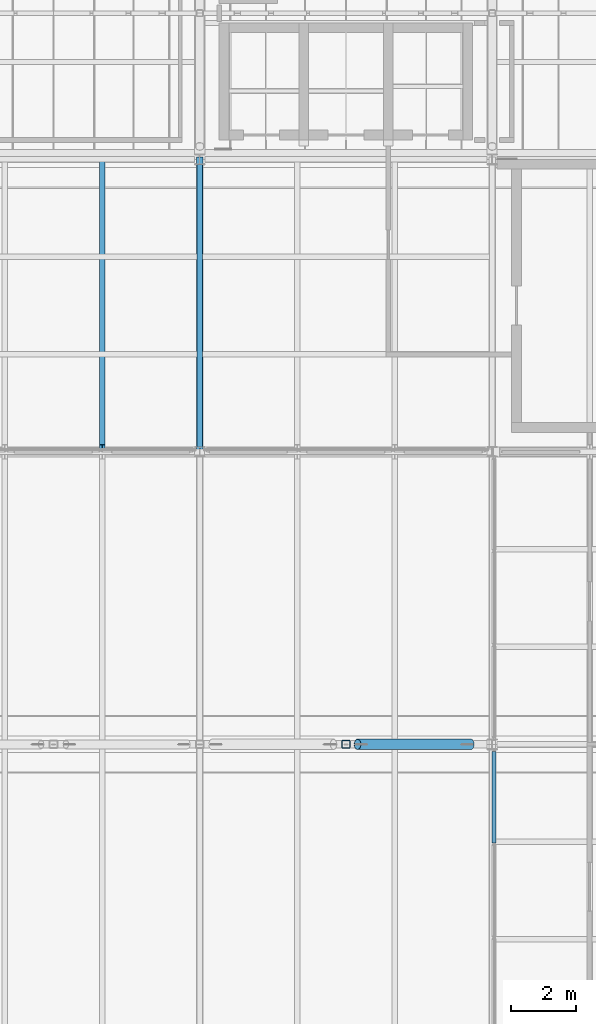
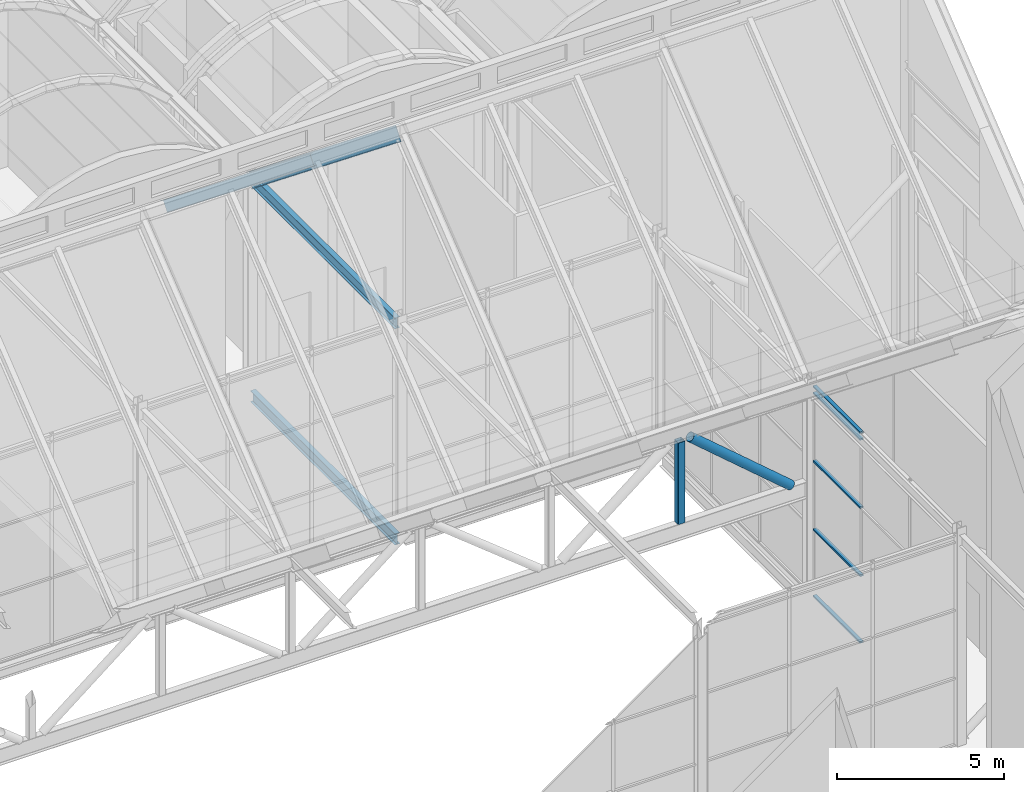
# One storey, part 78 of 144: 9 members, 2 beams, 1 element without a shape of its own.
"""IFC4 building model written with IfcOpenShell, lengths in metres."""

from ifc_helpers import new_model, si_unit, direction, frame, origin, origin_2d, place, context, subcontext, project, spatial, hollow_rectangle, hollow_circle, i_section, extrude, material, layer, layer_set, material_profile, profile_set, type_object, element, aggregate, save


model = new_model("IFC4")

# Units and contexts
model_context = context("Model", 3, precision=1e-05, world=origin(), true_north=direction((0.0, 1.0)))
body_context = subcontext(model_context, "Body", "Model", "MODEL_VIEW")
ifc_project = project(units=[si_unit("LENGTHUNIT", "METRE"), si_unit("AREAUNIT", "SQUARE_METRE"), si_unit("VOLUMEUNIT", "CUBIC_METRE"), si_unit("PLANEANGLEUNIT", "RADIAN"), si_unit("MASSUNIT", "GRAM", prefix="KILO")], contexts=[model_context])

# Site, building, storey
site_placement = place(None, origin())
site = spatial("IfcSite", under=ifc_project, at=site_placement, CompositionType="ELEMENT")
building_placement = place(site_placement, origin())
building = spatial("IfcBuilding", under=site, at=building_placement, Name="Shorebreak Coast Museum", CompositionType="ELEMENT")
storey_placement = place(building_placement, frame((0.0, 0.0, 36.0)))
storey = spatial("IfcBuildingStorey", under=building, at=storey_placement, Name="L06", CompositionType="ELEMENT", Elevation=36.0)

# Members
ifc_material_1 = material(Name="Steel Grade C350L0", Category="steel")
ifc_material_profile_1 = material_profile(ifc_material_1, hollow_circle(Radius=0.161865234375, WallThickness=0.009521484375, at=origin_2d()), Name="323.9x9.5 CHS")
ifc_profile_set_1 = profile_set([ifc_material_profile_1], Name="Steel Grade C350L0")
member_type_1 = type_object("IfcMemberType", Name="Atrium roof truss diagonal 323.9x9.5 CHS", PredefinedType="BRACE", material=ifc_profile_set_1)
member_1_placement = place(storey_placement, frame((107.337890625, 72.0, 4.235595703125), z_axis=(-0.758858280344, 0.0, 0.651255794871), x_axis=(0.0, -1.0, 0.0)))
element("IfcMember", 1, at=member_1_placement, inside=storey, type_object=member_type_1, Name="Atrium roof truss TA3 diagonal D10", PredefinedType="BRACE", context=body_context, shape_type="SweptSolid", body=[
    extrude(hollow_circle(Radius=0.161865234375, WallThickness=0.009521484375, at=origin_2d()), origin(), (0.0, 0.0, 1.0), 4.587646484375),
])
ifc_material_2 = material(Name="Steel Grade C450L0", Category="steel")
ifc_material_profile_2 = material_profile(ifc_material_2, hollow_rectangle(XDim=0.25, YDim=0.25, WallThickness=0.012451171875, InnerFilletRadius=0.018798828125, OuterFilletRadius=0.03125, at=origin_2d()), Name="250x250x12.5 SHS")
ifc_profile_set_2 = profile_set([ifc_material_profile_2], Name="Steel Grade C450L0")
member_type_2 = type_object("IfcMemberType", Name="Atrium roof truss strut 250x250x12.5 SHS", PredefinedType="STRUT", material=ifc_profile_set_2)
member_2_placement = place(storey_placement, frame((103.5, 72.0, 4.235595703125), z_axis=(0.0, 0.0, 1.0), x_axis=(1.0, 0.0, 0.0)))
element("IfcMember", 2, at=member_2_placement, inside=storey, type_object=member_type_2, Name="Atrium roof truss TA3 strut V09", PredefinedType="STRUT", context=body_context, shape_type="SweptSolid", body=[
    extrude(hollow_rectangle(XDim=0.25, YDim=0.25, WallThickness=0.012451171875, InnerFilletRadius=0.018798828125, OuterFilletRadius=0.03125, at=origin_2d()), origin(), (0.0, 0.0, 1.0), 2.98779296875),
])

# Beam
ifc_material_3 = material(Name="Steel Grade 300", Category="steel")
ifc_material_profile_3 = material_profile(ifc_material_3, i_section(OverallWidth=0.177978515625, OverallDepth=0.406494140625, WebThickness=0.0078125, FlangeThickness=0.0126953125, FilletRadius=0.011474609375, at=origin_2d()), Name="410UB59.7")
ifc_profile_set_3 = profile_set([ifc_material_profile_3], Name="Steel Grade 300")
beam_type_1 = type_object("IfcBeamType", Name="Floor girder north-south 410UB59.7", PredefinedType="BEAM", material=ifc_profile_set_3)
beam_1_placement = place(storey_placement, frame((99.0, 81.1572265625, -0.378173828125), z_axis=(0.0, 1.0, 0.0), x_axis=(-1.0, 0.0, 0.0)))
element("IfcBeam", 3, at=beam_1_placement, inside=storey, type_object=beam_type_1, Name="Floor girder north-south L06 12K", PredefinedType="BEAM", context=body_context, shape_type="SweptSolid", body=[
    extrude(i_section(OverallWidth=0.177978515625, OverallDepth=0.406494140625, WebThickness=0.0078125, FlangeThickness=0.0126953125, FilletRadius=0.011474609375, at=origin_2d()), origin(), (0.0, 0.0, 1.0), 8.67919921875),
])

# Members
ifc_material_4 = material(Name="Steel Grade 300", Category="steel")
ifc_material_profile_4 = material_profile(ifc_material_4, i_section(OverallWidth=0.177978515625, OverallDepth=0.402587890625, WebThickness=0.007568359375, FlangeThickness=0.010986328125, FilletRadius=0.011474609375, at=origin_2d()), Name="410UB53.7")
ifc_profile_set_4 = profile_set([ifc_material_profile_4], Name="Steel Grade 300")
member_type_3 = type_object("IfcMemberType", Name="Fold rafter 410UB53.7", PredefinedType="RAFTER", material=ifc_profile_set_4)
member_3_placement = place(storey_placement, frame((96.0, 81.094970703125, 14.610107421875), z_axis=(0.0, 0.780866698312, -0.624697686459), x_axis=(-1.0, 0.0, 0.0)))
element("IfcMember", 4, at=member_3_placement, inside=storey, type_object=member_type_3, Name="Fold rafter FOLD-X line 4 15", PredefinedType="RAFTER", context=body_context, shape_type="SweptSolid", body=[
    extrude(i_section(OverallWidth=0.177978515625, OverallDepth=0.402587890625, WebThickness=0.007568359375, FlangeThickness=0.010986328125, FilletRadius=0.011474609375, at=origin_2d()), origin(), (0.0, 0.0, 1.0), 11.282470703125),
])
ifc_material_5 = material(Name="Steel Grade 300", Category="steel")
ifc_material_profile_5 = material_profile(ifc_material_5, i_section(OverallWidth=0.208984375, OverallDepth=0.5283203125, WebThickness=0.009521484375, FlangeThickness=0.01318359375, FilletRadius=0.013916015625, at=origin_2d()), Name="530UB82.0")
ifc_profile_set_5 = profile_set([ifc_material_profile_5], Name="Steel Grade 300")
member_type_4 = type_object("IfcMemberType", Name="Fold rib rafter 530UB82.0", PredefinedType="RAFTER", material=ifc_profile_set_5)
member_4_placement = place(storey_placement, frame((99.0, 81.094970703125, 14.52978515625), z_axis=(0.0, 0.780866698312, -0.624697686459), x_axis=(-1.0, 0.0, 0.0)))
element("IfcMember", 5, at=member_4_placement, inside=storey, type_object=member_type_4, Name="Fold rib rafter FOLD-X line 4 16", PredefinedType="RAFTER", context=body_context, shape_type="SweptSolid", body=[
    extrude(i_section(OverallWidth=0.208984375, OverallDepth=0.5283203125, WebThickness=0.009521484375, FlangeThickness=0.01318359375, FilletRadius=0.013916015625, at=origin_2d()), origin(), (0.0, 0.0, 1.0), 11.282470703125),
])

# Beam
ifc_material_6 = material(Name="Steel Grade 300", Category="steel")
ifc_material_profile_6 = material_profile(ifc_material_6, i_section(OverallWidth=0.177978515625, OverallDepth=0.402587890625, WebThickness=0.007568359375, FlangeThickness=0.010986328125, FilletRadius=0.011474609375, at=origin_2d()), Name="410UB53.7")
ifc_profile_set_6 = profile_set([ifc_material_profile_6], Name="Steel Grade 300")
beam_type_2 = type_object("IfcBeamType", Name="Fold rib tie 410UB53.7", PredefinedType="BEAM", material=ifc_profile_set_6)
beam_2_placement = place(storey_placement, frame((99.0, 81.1572265625, 7.54248046875), z_axis=(0.0, 1.0, 0.0), x_axis=(-1.0, 0.0, 0.0)))
element("IfcBeam", 6, at=beam_2_placement, inside=storey, type_object=beam_type_2, Name="Fold rib tie FOLD-X rib 12 K-L", PredefinedType="BEAM", context=body_context, shape_type="SweptSolid", body=[
    extrude(i_section(OverallWidth=0.177978515625, OverallDepth=0.402587890625, WebThickness=0.007568359375, FlangeThickness=0.010986328125, FilletRadius=0.011474609375, at=origin_2d()), origin(), (0.0, 0.0, 1.0), 8.67919921875),
])

# Curtain wall, members
ifc_material_7 = material(Name="Aluminium", Category="aluminium")
ifc_layer = layer(ifc_material_7, 0.1201171875)
ifc_layer_set = layer_set([ifc_layer], Name="Aluminium")
curtain_wall_type = type_object("IfcCurtainWallType", Name="Atrium fire screen", PredefinedType="NOTDEFINED", material=ifc_layer_set)
curtain_wall_placement = place(storey_placement, origin())
curtain_wall = element("IfcCurtainWall", 7, at=curtain_wall_placement, inside=storey, type_object=curtain_wall_type, Name="Atrium screen L06 E 91", PredefinedType="NOTDEFINED")
ifc_material_8 = material(Name="Aluminium", Category="aluminium")
ifc_material_profile_7 = material_profile(ifc_material_8, hollow_rectangle(XDim=0.1201171875, YDim=0.06005859375, WallThickness=0.00341796875, at=origin_2d()), Name="AL 60x120 RHS")
ifc_profile_set_7 = profile_set([ifc_material_profile_7], Name="Aluminium")
member_type_5 = type_object("IfcMemberType", Name="Screen transom 120 x 50", PredefinedType="USERDEFINED", material=ifc_profile_set_7)
member_5_placement = place(storey_placement, frame((108.06005859375, 68.96826171875, 0.06005859375), z_axis=(0.0, 1.0, 0.0), x_axis=(-1.0, 0.0, 0.0)))
member_5 = element("IfcMember", 8, at=member_5_placement, type_object=member_type_5, Name="CW5 transom 3.1", ObjectType="TRANSOM", PredefinedType="USERDEFINED", context=body_context, shape_type="SweptSolid", body=[
    extrude(hollow_rectangle(XDim=0.1201171875, YDim=0.06005859375, WallThickness=0.00341796875, at=origin_2d()), origin(), (0.0, 0.0, 1.0), 2.818115234375),
])
member_6_placement = place(storey_placement, frame((108.06005859375, 68.96826171875, 2.5), z_axis=(0.0, 1.0, 0.0), x_axis=(-1.0, 0.0, 0.0)))
member_6 = element("IfcMember", 9, at=member_6_placement, type_object=member_type_5, Name="CW5 transom 3.2", ObjectType="TRANSOM", PredefinedType="USERDEFINED", context=body_context, shape_type="SweptSolid", body=[
    extrude(hollow_rectangle(XDim=0.1201171875, YDim=0.06005859375, WallThickness=0.00341796875, at=origin_2d()), origin(), (0.0, 0.0, 1.0), 2.818115234375),
])
member_7_placement = place(storey_placement, frame((108.06005859375, 68.96826171875, 5.0), z_axis=(0.0, 1.0, 0.0), x_axis=(-1.0, 0.0, 0.0)))
member_7 = element("IfcMember", 10, at=member_7_placement, type_object=member_type_5, Name="CW5 transom 3.3", ObjectType="TRANSOM", PredefinedType="USERDEFINED", context=body_context, shape_type="SweptSolid", body=[
    extrude(hollow_rectangle(XDim=0.1201171875, YDim=0.06005859375, WallThickness=0.00341796875, at=origin_2d()), origin(), (0.0, 0.0, 1.0), 2.818115234375),
])
member_8_placement = place(storey_placement, frame((108.06005859375, 68.96826171875, 7.5), z_axis=(0.0, 1.0, 0.0), x_axis=(-1.0, 0.0, 0.0)))
member_8 = element("IfcMember", 11, at=member_8_placement, type_object=member_type_5, Name="CW5 transom 3.4", ObjectType="TRANSOM", PredefinedType="USERDEFINED", context=body_context, shape_type="SweptSolid", body=[
    extrude(hollow_rectangle(XDim=0.1201171875, YDim=0.06005859375, WallThickness=0.00341796875, at=origin_2d()), origin(), (0.0, 0.0, 1.0), 2.818115234375),
])
member_9_placement = place(storey_placement, frame((108.06005859375, 68.96826171875, 7.739990234375), z_axis=(0.0, 1.0, 0.0), x_axis=(-1.0, 0.0, 0.0)))
member_9 = element("IfcMember", 12, at=member_9_placement, type_object=member_type_5, Name="CW5 transom 3.5", ObjectType="TRANSOM", PredefinedType="USERDEFINED", context=body_context, shape_type="SweptSolid", body=[
    extrude(hollow_rectangle(XDim=0.1201171875, YDim=0.06005859375, WallThickness=0.00341796875, at=origin_2d()), origin(), (0.0, 0.0, 1.0), 2.818115234375),
])
aggregate(curtain_wall, [member_5, member_6, member_7, member_8, member_9])

save(model, "model.ifc")
